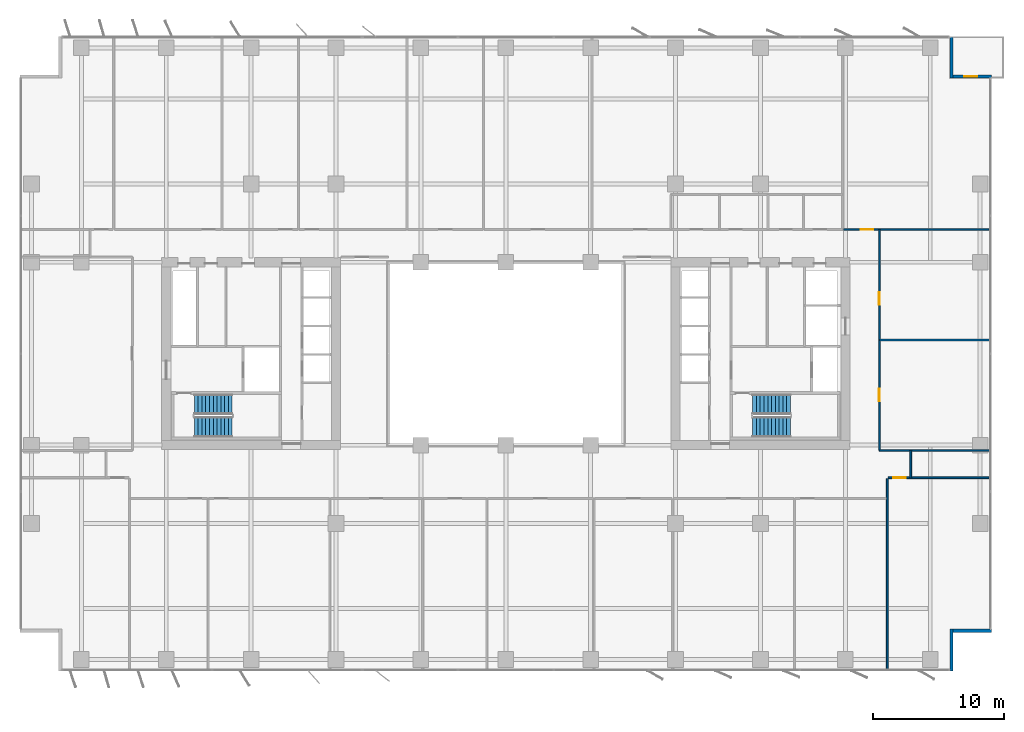
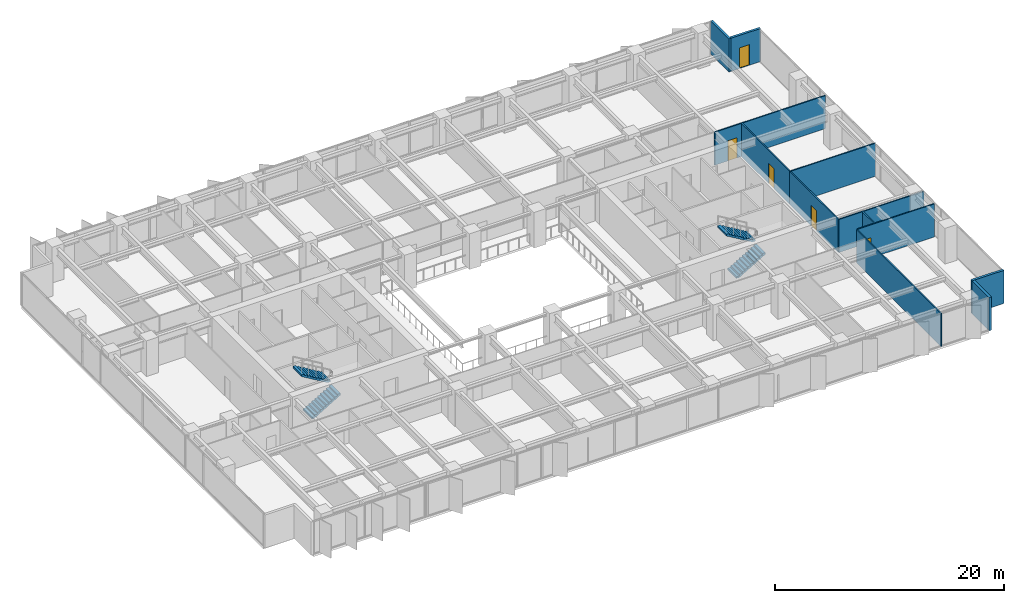
# One storey, part 16 of 20: 12 walls, 5 doors, 4 stair flights, 5 openings, 2 elements without a shape of their own.
"""IFC4 building model written with IfcOpenShell, lengths in metres."""

from ifc_helpers import new_model, si_unit, direction, frame, frame_2d, origin, place, context, subcontext, project, spatial, polyline, rectangle, outline, extrude, material, layer, layer_set, type_object, element, fill, aggregate, save


model = new_model("IFC4")

# Units and contexts
model_context = context("Model", 3, precision=1e-05, world=origin(), true_north=direction((0.0, 1.0)))
body_context = subcontext(model_context, "Body", "Model", "MODEL_VIEW")
ifc_project = project(units=[si_unit("LENGTHUNIT", "METRE"), si_unit("AREAUNIT", "SQUARE_METRE"), si_unit("VOLUMEUNIT", "CUBIC_METRE"), si_unit("PLANEANGLEUNIT", "RADIAN"), si_unit("MASSUNIT", "GRAM", prefix="KILO")], contexts=[model_context])

# Site, building, storey
site_placement = place(None, origin())
site = spatial("IfcSite", under=ifc_project, at=site_placement, CompositionType="ELEMENT")
building_placement = place(site_placement, origin())
building = spatial("IfcBuilding", under=site, at=building_placement, Name="Putna Gate Headquarters", CompositionType="ELEMENT")
storey_placement = place(building_placement, frame((0.0, 0.0, 135.39990234375)))
storey = spatial("IfcBuildingStorey", under=building, at=storey_placement, Name="L33", CompositionType="ELEMENT", Elevation=135.39990234375)

# Wall
ifc_material_1 = material(Name="Precast concrete C40/50", Category="concrete")
ifc_layer_1 = layer(ifc_material_1, 0.239990234375)
ifc_layer_set_1 = layer_set([ifc_layer_1], Name="Precast concrete C40/50")
wall_type_1 = type_object("IfcWallType", Name="WALL-EXT-TERR-240", PredefinedType="STANDARD", material=ifc_layer_set_1)
wall_1_placement = place(storey_placement, frame((73.1201171875, 50.300048828125, 0.0), z_axis=(0.0, 0.0, 1.0), x_axis=(0.0, -1.0, 0.0)))
element("IfcWall", 1, at=wall_1_placement, inside=storey, type_object=wall_type_1, Name="L33 Corner Notch Return Wall NE-V", PredefinedType="STANDARD", context=body_context, shape_type="SweptSolid", body=[
    extrude(rectangle(XDim=3.199951171875, YDim=0.239990234375, at=frame_2d((1.60009765625, 0.0))), origin(), (0.0, 0.0, 1.0), 3.52001953125),
])

# Wall, opening, door
wall_2_placement = place(storey_placement, frame((73.0, 47.219970703125, 0.0), z_axis=(0.0, 0.0, 1.0), x_axis=(1.0, 0.0, 0.0)))
wall_2 = element("IfcWall", 2, at=wall_2_placement, inside=storey, type_object=wall_type_1, Name="L33 Corner Notch Return Wall NE-H", PredefinedType="STANDARD", context=body_context, shape_type="SweptSolid", body=[
    extrude(rectangle(XDim=3.199951171875, YDim=0.239990234375, at=frame_2d((1.60009765625, 0.0))), origin(), (0.0, 0.0, 1.0), 3.52001953125),
])
opening_1_placement = place(wall_2_placement, frame((1.10009765625, 0.0, 0.0)))
opening_1 = element("IfcOpeningElement", 3, at=opening_1_placement, cuts=wall_2, Name="Opening TRD-1", PredefinedType="OPENING", context=body_context, shape_type="SweptSolid", body=[
    extrude(rectangle(XDim=1.0, YDim=2.199951171875, at=frame_2d((0.5, 1.10009765625))), frame((0.0, 0.1298828125, 0.0), z_axis=(0.0, -1.0, 0.0), x_axis=(1.0, 0.0, 0.0)), (0.0, 0.0, 1.0), 0.260009765625),
])
ifc_material_2 = material(Name="Thermally broken bronze glazed terrace door")
door_type_1 = type_object("IfcDoorType", Name="DOOR-TERR-EXT-1000", OperationType="NOTDEFINED", PredefinedType="DOOR", material=ifc_material_2)
door_1_placement = place(opening_1_placement, origin())
door_1 = element("IfcDoor", 4, at=door_1_placement, inside=storey, type_object=door_type_1, Name="L33 Spiral Sky Terrace Door NE", OperationType="SINGLE_SWING_LEFT", OverallHeight=2.199951171875, OverallWidth=1.0, PredefinedType="DOOR", context=body_context, shape_type="SweptSolid", body=[
    extrude(rectangle(XDim=1.0, YDim=2.199951171875, at=frame_2d((0.5, 1.10009765625))), frame((0.0, 0.02490234375, 0.0), z_axis=(0.0, -1.0, 0.0), x_axis=(1.0, 0.0, 0.0)), (0.0, 0.0, 1.0), 0.050048828125),
])
fill(opening_1, door_1)

# Walls
for number, where, z_axis, x_axis, name in (
    (5, (73.1201171875, 4.89990234375, 0.0), (0.0, 0.0, 1.0), (0.0, -1.0, 0.0), "L33 Corner Notch Return Wall SE-V"),
    (6, (76.199951171875, 4.780029296875, 0.0), (0.0, 0.0, 1.0), (-1.0, 0.0, 0.0), "L33 Corner Notch Return Wall SE-H"),
):
    element("IfcWall", number, at=place(storey_placement, frame(where, z_axis=z_axis, x_axis=x_axis)), inside=storey, type_object=wall_type_1, Name=name, PredefinedType="STANDARD", context=body_context, shape_type="SweptSolid", body=[
        extrude(rectangle(XDim=3.199951171875, YDim=0.239990234375, at=frame_2d((1.60009765625, 0.0))), origin(), (0.0, 0.0, 1.0), 3.52001953125),
    ])
ifc_material_3 = material(Name="Acoustic gypsum board on metal stud")
ifc_layer_2 = layer(ifc_material_3, 0.1201171875)
ifc_layer_set_2 = layer_set([ifc_layer_2], Name="Acoustic gypsum board on metal stud")
wall_type_2 = type_object("IfcWallType", Name="WALL-PART-120", PredefinedType="PARTITIONING", material=ifc_layer_set_2)
wall_3_placement = place(storey_placement, frame((68.208740234375, 1.719970703125, 0.0), z_axis=(0.0, 0.0, 1.0), x_axis=(0.0, 1.0, 0.0)))
element("IfcWall", 7, at=wall_3_placement, inside=storey, type_object=wall_type_2, Name="L33 Interior Wall PART-L33-SB-DIV-09", PredefinedType="PARTITIONING", context=body_context, shape_type="SweptSolid", body=[
    extrude(rectangle(XDim=14.719970703125, YDim=0.1201171875, at=frame_2d((7.35986328125, 0.0))), origin(), (0.0, 0.0, 1.0), 3.52001953125),
])
wall_4_placement = place(storey_placement, frame((67.60009765625, 27.050048828125, 0.0), z_axis=(0.0, 0.0, 1.0), x_axis=(1.0, 0.0, 0.0)))
element("IfcWall", 8, at=wall_4_placement, inside=storey, type_object=wall_type_2, Name="L33 Interior Wall PART-L33-EW-DIV-1", PredefinedType="PARTITIONING", context=body_context, shape_type="SweptSolid", body=[
    extrude(rectangle(XDim=8.579833984375, YDim=0.1201171875, at=frame_2d((4.2900390625, 0.0))), origin(), (0.0, 0.0, 1.0), 3.52001953125),
])
ifc_material_4 = material(Name="Fire-rated gypsum board on metal stud")
ifc_layer_3 = layer(ifc_material_4, 0.1201171875)
ifc_layer_set_3 = layer_set([ifc_layer_3], Name="Fire-rated gypsum board on metal stud")
wall_type_3 = type_object("IfcWallType", Name="WALL-PART-120-RATED", PredefinedType="PARTITIONING", material=ifc_layer_set_3)
wall_5_placement = place(storey_placement, frame((70.0087890625, 16.5, 0.0), z_axis=(0.0, 0.0, 1.0), x_axis=(0.0, 1.0, 0.0)))
element("IfcWall", 9, at=wall_5_placement, inside=storey, type_object=wall_type_3, Name="L33 Interior Wall PART-L33-CORRS-CAPE", PredefinedType="PARTITIONING", context=body_context, shape_type="SweptSolid", body=[
    extrude(rectangle(XDim=2.10009765625, YDim=0.1201171875, at=frame_2d((1.050048828125, 0.0))), origin(), (0.0, 0.0, 1.0), 3.52001953125),
])

# Wall, opening, door
wall_6_placement = place(storey_placement, frame((64.860107421875, 35.5, 0.0), z_axis=(0.0, 0.0, 1.0), x_axis=(1.0, 0.0, 0.0)))
wall_6 = element("IfcWall", 10, at=wall_6_placement, inside=storey, type_object=wall_type_3, Name="L33 Interior Wall PART-L33-NB-CW-08", PredefinedType="PARTITIONING", context=body_context, shape_type="SweptSolid", body=[
    extrude(rectangle(XDim=11.159912109375, YDim=0.1201171875, at=frame_2d((5.580078125, 0.0))), origin(), (0.0, 0.0, 1.0), 3.52001953125),
])
opening_2_placement = place(wall_6_placement, frame((1.31005859375, 0.0, 0.0)))
opening_2 = element("IfcOpeningElement", 11, at=opening_2_placement, cuts=wall_6, Name="Opening FD-95", PredefinedType="OPENING", context=body_context, shape_type="SweptSolid", body=[
    extrude(rectangle(XDim=0.949951171875, YDim=2.14990234375, at=frame_2d((0.47509765625, 1.074951171875))), frame((0.0, 0.070068359375, 0.0), z_axis=(0.0, -1.0, 0.0), x_axis=(1.0, 0.0, 0.0)), (0.0, 0.0, 1.0), 0.14013671875),
])
ifc_material_5 = material(Name="Acoustic timber fire door", Category="wood")
door_type_2 = type_object("IfcDoorType", Name="DOOR-FIRE-950", OperationType="NOTDEFINED", PredefinedType="DOOR", material=ifc_material_5)
door_2_placement = place(opening_2_placement, origin())
door_2 = element("IfcDoor", 12, at=door_2_placement, inside=storey, type_object=door_type_2, Name="L33 Collaborative Breakout Lounge 1 Door", OperationType="SINGLE_SWING_RIGHT", OverallHeight=2.14990234375, OverallWidth=0.949951171875, PredefinedType="DOOR", context=body_context, shape_type="SweptSolid", body=[
    extrude(rectangle(XDim=0.949951171875, YDim=2.14990234375, at=frame_2d((0.47509765625, 1.074951171875))), frame((0.0, 0.02490234375, 0.0), z_axis=(0.0, -1.0, 0.0), x_axis=(1.0, 0.0, 0.0)), (0.0, 0.0, 1.0), 0.050048828125),
])
fill(opening_2, door_2)

wall_7_placement = place(storey_placement, frame((68.268798828125, 16.5, 0.0), z_axis=(0.0, 0.0, 1.0), x_axis=(1.0, 0.0, 0.0)))
wall_7 = element("IfcWall", 13, at=wall_7_placement, inside=storey, type_object=wall_type_3, Name="L33 Interior Wall PART-L33-SB-CW-10", PredefinedType="PARTITIONING", context=body_context, shape_type="SweptSolid", body=[
    extrude(rectangle(XDim=7.751220703125, YDim=0.1201171875, at=frame_2d((3.87548828125, 0.0))), origin(), (0.0, 0.0, 1.0), 3.52001953125),
])
opening_3_placement = place(wall_7_placement, frame((0.39501953125, 0.0, 0.0)))
opening_3 = element("IfcOpeningElement", 14, at=opening_3_placement, cuts=wall_7, Name="Opening FD-95", PredefinedType="OPENING", context=body_context, shape_type="SweptSolid", body=[
    extrude(rectangle(XDim=0.949951171875, YDim=2.14990234375, at=frame_2d((0.47509765625, 1.074951171875))), frame((0.0, 0.070068359375, 0.0), z_axis=(0.0, -1.0, 0.0), x_axis=(1.0, 0.0, 0.0)), (0.0, 0.0, 1.0), 0.14013671875),
])
door_3_placement = place(opening_3_placement, origin())
door_3 = element("IfcDoor", 15, at=door_3_placement, inside=storey, type_object=door_type_2, Name="L33 Collaborative Breakout Lounge 3 Door", OperationType="SINGLE_SWING_RIGHT", OverallHeight=2.14990234375, OverallWidth=0.949951171875, PredefinedType="DOOR", context=body_context, shape_type="SweptSolid", body=[
    extrude(rectangle(XDim=0.949951171875, YDim=2.14990234375, at=frame_2d((0.47509765625, 1.074951171875))), frame((0.0, 0.02490234375, 0.0), z_axis=(0.0, -1.0, 0.0), x_axis=(1.0, 0.0, 0.0)), (0.0, 0.0, 1.0), 0.050048828125),
])
fill(opening_3, door_3)

# Wall
wall_8_placement = place(storey_placement, frame((67.60009765625, 18.60009765625, 0.0), z_axis=(0.0, 0.0, 1.0), x_axis=(1.0, 0.0, 0.0)))
element("IfcWall", 16, at=wall_8_placement, inside=storey, type_object=wall_type_3, Name="L33 Interior Wall PART-L33-EW-S-BOUND", PredefinedType="PARTITIONING", context=body_context, shape_type="SweptSolid", body=[
    extrude(rectangle(XDim=8.579833984375, YDim=0.1201171875, at=frame_2d((4.2900390625, 0.0))), origin(), (0.0, 0.0, 1.0), 3.52001953125),
])

# Wall, opening, door
wall_9_placement = place(storey_placement, frame((67.60009765625, 18.60009765625, 0.0), z_axis=(0.0, 0.0, 1.0), x_axis=(0.0, 1.0, 0.0)))
wall_9 = element("IfcWall", 17, at=wall_9_placement, inside=storey, type_object=wall_type_3, Name="L33 Interior Wall PART-L33-EW-CW-1", PredefinedType="PARTITIONING", context=body_context, shape_type="SweptSolid", body=[
    extrude(rectangle(XDim=8.449951171875, YDim=0.1201171875, at=frame_2d((4.22509765625, 0.0))), origin(), (0.0, 0.0, 1.0), 3.52001953125),
])
opening_4_placement = place(wall_9_placement, frame((3.75, 0.0, 0.0)))
opening_4 = element("IfcOpeningElement", 18, at=opening_4_placement, cuts=wall_9, Name="Opening FD-95", PredefinedType="OPENING", context=body_context, shape_type="SweptSolid", body=[
    extrude(rectangle(XDim=0.949951171875, YDim=2.14990234375, at=frame_2d((0.47509765625, 1.074951171875))), frame((0.0, 0.070068359375, 0.0), z_axis=(0.0, -1.0, 0.0), x_axis=(1.0, 0.0, 0.0)), (0.0, 0.0, 1.0), 0.14013671875),
])
door_4_placement = place(opening_4_placement, origin())
door_4 = element("IfcDoor", 19, at=door_4_placement, inside=storey, type_object=door_type_2, Name="L33 East Horizon Conference Room 1 Door", OperationType="SINGLE_SWING_RIGHT", OverallHeight=2.14990234375, OverallWidth=0.949951171875, PredefinedType="DOOR", context=body_context, shape_type="SweptSolid", body=[
    extrude(rectangle(XDim=0.949951171875, YDim=2.14990234375, at=frame_2d((0.47509765625, 1.074951171875))), frame((0.0, 0.02490234375, 0.0), z_axis=(0.0, -1.0, 0.0), x_axis=(1.0, 0.0, 0.0)), (0.0, 0.0, 1.0), 0.050048828125),
])
fill(opening_4, door_4)

wall_10_placement = place(storey_placement, frame((67.60009765625, 27.050048828125, 0.0), z_axis=(0.0, 0.0, 1.0), x_axis=(0.0, 1.0, 0.0)))
wall_10 = element("IfcWall", 20, at=wall_10_placement, inside=storey, type_object=wall_type_3, Name="L33 Interior Wall PART-L33-EW-CW-2", PredefinedType="PARTITIONING", context=body_context, shape_type="SweptSolid", body=[
    extrude(rectangle(XDim=8.449951171875, YDim=0.1201171875, at=frame_2d((4.22509765625, 0.0))), origin(), (0.0, 0.0, 1.0), 3.52001953125),
])
opening_5_placement = place(wall_10_placement, frame((2.699951171875, 0.0, 0.0)))
opening_5 = element("IfcOpeningElement", 21, at=opening_5_placement, cuts=wall_10, Name="Opening FD-95", PredefinedType="OPENING", context=body_context, shape_type="SweptSolid", body=[
    extrude(rectangle(XDim=0.949951171875, YDim=2.14990234375, at=frame_2d((0.47509765625, 1.074951171875))), frame((0.0, 0.070068359375, 0.0), z_axis=(0.0, -1.0, 0.0), x_axis=(1.0, 0.0, 0.0)), (0.0, 0.0, 1.0), 0.14013671875),
])
door_5_placement = place(opening_5_placement, origin())
door_5 = element("IfcDoor", 22, at=door_5_placement, inside=storey, type_object=door_type_2, Name="L33 East Horizon Conference Room 2 Door", OperationType="SINGLE_SWING_LEFT", OverallHeight=2.14990234375, OverallWidth=0.949951171875, PredefinedType="DOOR", context=body_context, shape_type="SweptSolid", body=[
    extrude(rectangle(XDim=0.949951171875, YDim=2.14990234375, at=frame_2d((0.47509765625, 1.074951171875))), frame((0.0, 0.02490234375, 0.0), z_axis=(0.0, -1.0, 0.0), x_axis=(1.0, 0.0, 0.0)), (0.0, 0.0, 1.0), 0.050048828125),
])
fill(opening_5, door_5)

# Stair, stair flights
ifc_material_6 = material(Name="Concrete C40/50", Category="concrete")
stair_type_1 = type_object("IfcStairType", Name="STAIR-ST1", PredefinedType="HALF_TURN_STAIR", material=ifc_material_6)
stair_1_placement = place(storey_placement, origin())
stair_1 = element("IfcStair", 23, at=stair_1_placement, inside=storey, type_object=stair_type_1, Name="L33 West Core Exit Stair ST1", PredefinedType="HALF_TURN_STAIR")
stair_flight_type_1 = type_object("IfcStairFlightType", Name="FLIGHT-ST1", PredefinedType="STRAIGHT", material=ifc_material_6)
stair_flight_1_placement = place(storey_placement, frame((15.14990234375, 20.375, 0.0), z_axis=(0.0, 0.0, 1.0), x_axis=(1.0, 0.0, 0.0)))
stair_flight_1 = element("IfcStairFlight", 24, at=stair_flight_1_placement, type_object=stair_flight_type_1, Name="ST1 flight 1", NumberOfRisers=11, NumberOfTreads=10, PredefinedType="STRAIGHT", RiserHeight=0.172727273, TreadLength=0.29, context=body_context, shape_type="SweptSolid", body=[
    extrude(outline(polyline([(0.0, 0.0), (0.0, 0.172607421875), (0.2900390625, 0.172607421875), (0.2900390625, 0.345458984375), (0.580078125, 0.345458984375), (0.580078125, 0.51806640625), (0.8701171875, 0.51806640625), (0.8701171875, 0.69091796875), (1.159912109375, 0.69091796875), (1.159912109375, 0.863525390625), (1.449951171875, 0.863525390625), (1.449951171875, 1.036376953125), (1.739990234375, 1.036376953125), (1.739990234375, 1.208984375), (2.030029296875, 1.208984375), (2.030029296875, 1.3818359375), (2.320068359375, 1.3818359375), (2.320068359375, 1.554443359375), (2.610107421875, 1.554443359375), (2.610107421875, 1.727294921875), (2.89990234375, 1.727294921875), (2.89990234375, 1.89990234375), (2.89990234375, 1.552734375), (0.29296875, 0.0), (0.0, 0.0)])), frame((0.0, 0.77490234375, 0.0), z_axis=(0.0, -1.0, 0.0), x_axis=(1.0, 0.0, 0.0)), (0.0, 0.0, 1.0), 1.550048828125),
])
stair_flight_2_placement = place(storey_placement, frame((18.050048828125, 22.125, 1.900146484375), z_axis=(0.0, 0.0, 1.0), x_axis=(-1.0, 0.0, 0.0)))
stair_flight_2 = element("IfcStairFlight", 25, at=stair_flight_2_placement, type_object=stair_flight_type_1, Name="ST1 flight 2", NumberOfRisers=11, NumberOfTreads=10, PredefinedType="STRAIGHT", RiserHeight=0.172727273, TreadLength=0.29, context=body_context, shape_type="SweptSolid", body=[
    extrude(outline(polyline([(0.0, 0.0), (0.0, 0.172607421875), (0.2900390625, 0.172607421875), (0.2900390625, 0.345458984375), (0.580078125, 0.345458984375), (0.580078125, 0.51806640625), (0.8701171875, 0.51806640625), (0.8701171875, 0.69091796875), (1.159912109375, 0.69091796875), (1.159912109375, 0.863525390625), (1.449951171875, 0.863525390625), (1.449951171875, 1.036376953125), (1.739990234375, 1.036376953125), (1.739990234375, 1.208984375), (2.030029296875, 1.208984375), (2.030029296875, 1.3818359375), (2.320068359375, 1.3818359375), (2.320068359375, 1.554443359375), (2.610107421875, 1.554443359375), (2.610107421875, 1.727294921875), (2.89990234375, 1.727294921875), (2.89990234375, 1.89990234375), (2.89990234375, 1.552734375), (0.29296875, 0.0), (0.0, 0.0)])), frame((0.0, 0.77490234375, 0.0), z_axis=(0.0, -1.0, 0.0), x_axis=(1.0, 0.0, 0.0)), (0.0, 0.0, 1.0), 1.550048828125),
])
aggregate(stair_1, [stair_flight_1, stair_flight_2])

stair_type_2 = type_object("IfcStairType", Name="STAIR-ST2", PredefinedType="HALF_TURN_STAIR", material=ifc_material_6)
stair_2_placement = place(storey_placement, origin())
stair_2 = element("IfcStair", 26, at=stair_2_placement, inside=storey, type_object=stair_type_2, Name="L33 East Core Exit Stair ST2", PredefinedType="HALF_TURN_STAIR")
stair_flight_type_2 = type_object("IfcStairFlightType", Name="FLIGHT-ST2", PredefinedType="STRAIGHT", material=ifc_material_6)
stair_flight_3_placement = place(storey_placement, frame((57.89990234375, 20.375, 0.0), z_axis=(0.0, 0.0, 1.0), x_axis=(1.0, 0.0, 0.0)))
stair_flight_3 = element("IfcStairFlight", 27, at=stair_flight_3_placement, type_object=stair_flight_type_2, Name="ST2 flight 1", NumberOfRisers=11, NumberOfTreads=10, PredefinedType="STRAIGHT", RiserHeight=0.172727273, TreadLength=0.29, context=body_context, shape_type="SweptSolid", body=[
    extrude(outline(polyline([(0.0, 0.0), (0.0, 0.172607421875), (0.2900390625, 0.172607421875), (0.2900390625, 0.345458984375), (0.580078125, 0.345458984375), (0.580078125, 0.51806640625), (0.8701171875, 0.51806640625), (0.8701171875, 0.69091796875), (1.159912109375, 0.69091796875), (1.159912109375, 0.863525390625), (1.449951171875, 0.863525390625), (1.449951171875, 1.036376953125), (1.739990234375, 1.036376953125), (1.739990234375, 1.208984375), (2.030029296875, 1.208984375), (2.030029296875, 1.3818359375), (2.320068359375, 1.3818359375), (2.320068359375, 1.554443359375), (2.610107421875, 1.554443359375), (2.610107421875, 1.727294921875), (2.89990234375, 1.727294921875), (2.89990234375, 1.89990234375), (2.89990234375, 1.552734375), (0.29296875, 0.0), (0.0, 0.0)])), frame((0.0, 0.77490234375, 0.0), z_axis=(0.0, -1.0, 0.0), x_axis=(1.0, 0.0, 0.0)), (0.0, 0.0, 1.0), 1.550048828125),
])
stair_flight_4_placement = place(storey_placement, frame((60.800048828125, 22.125, 1.900146484375), z_axis=(0.0, 0.0, 1.0), x_axis=(-1.0, 0.0, 0.0)))
stair_flight_4 = element("IfcStairFlight", 28, at=stair_flight_4_placement, type_object=stair_flight_type_2, Name="ST2 flight 2", NumberOfRisers=11, NumberOfTreads=10, PredefinedType="STRAIGHT", RiserHeight=0.172727273, TreadLength=0.29, context=body_context, shape_type="SweptSolid", body=[
    extrude(outline(polyline([(0.0, 0.0), (0.0, 0.172607421875), (0.2900390625, 0.172607421875), (0.2900390625, 0.345458984375), (0.580078125, 0.345458984375), (0.580078125, 0.51806640625), (0.8701171875, 0.51806640625), (0.8701171875, 0.69091796875), (1.159912109375, 0.69091796875), (1.159912109375, 0.863525390625), (1.449951171875, 0.863525390625), (1.449951171875, 1.036376953125), (1.739990234375, 1.036376953125), (1.739990234375, 1.208984375), (2.030029296875, 1.208984375), (2.030029296875, 1.3818359375), (2.320068359375, 1.3818359375), (2.320068359375, 1.554443359375), (2.610107421875, 1.554443359375), (2.610107421875, 1.727294921875), (2.89990234375, 1.727294921875), (2.89990234375, 1.89990234375), (2.89990234375, 1.552734375), (0.29296875, 0.0), (0.0, 0.0)])), frame((0.0, 0.77490234375, 0.0), z_axis=(0.0, -1.0, 0.0), x_axis=(1.0, 0.0, 0.0)), (0.0, 0.0, 1.0), 1.550048828125),
])
aggregate(stair_2, [stair_flight_3, stair_flight_4])

save(model, "model.ifc")
